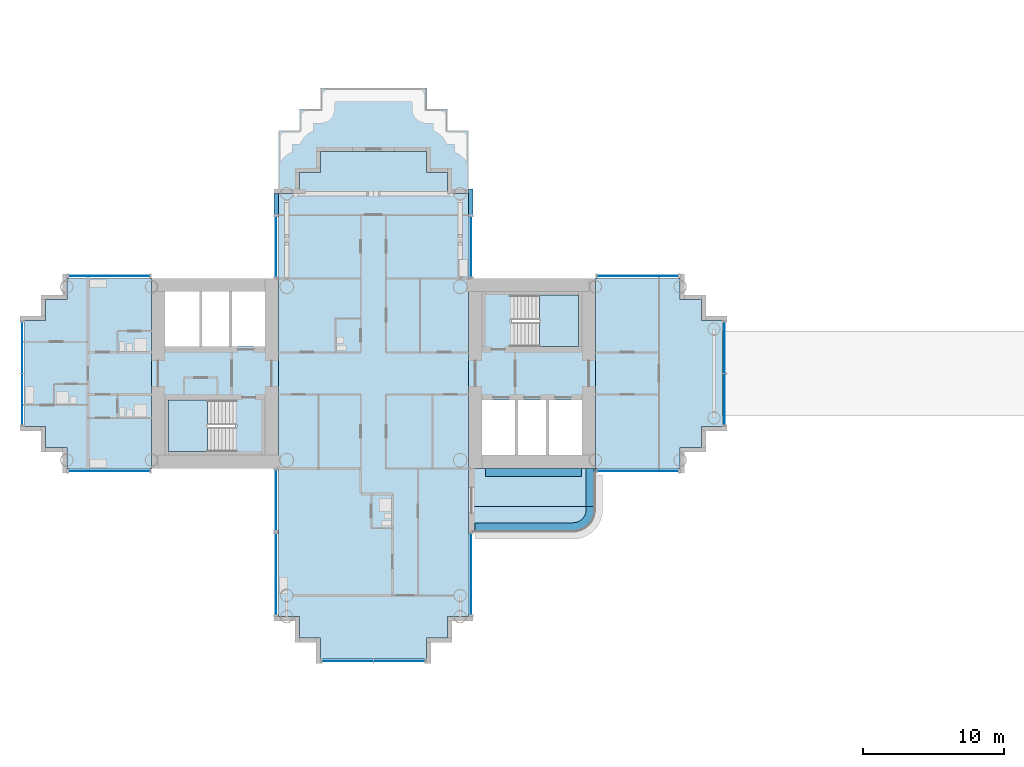
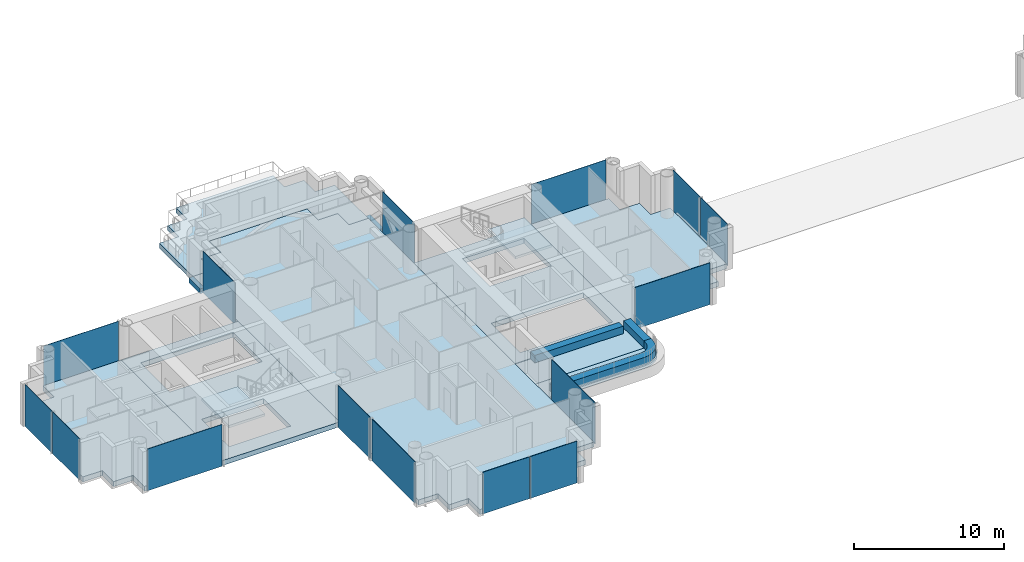
# One storey, part 7 of 22: 15 plates, 15 slabs, 14 elements without a shape of their own.
"""IFC4 building model written with IfcOpenShell, lengths in metres."""

import ifcopenshell
import ifcopenshell.guid

model = None  # the IFC model being written
_history = None  # IfcOwnerHistory: only IFC2X3 demands one
_inside = {}  # id of a spatial element -> (the spatial element, [elements in it])
_under = {}  # id of a project, library or spatial element -> (it, [spatial elements below it])
_declared = {}  # id of a project -> (the project, [libraries it declares])
_typed = {}  # id of a type object -> (the type object, [elements of that type])
_made_of = {}  # id of a material, layer set ... -> (it, [elements and type objects made of it])


def new_model(schema):
    """Start an empty IFC model of exactly this schema.

    Asked for "IFC4X3", IfcOpenShell would pick the latest addendum, in which some entities
    have other attributes; the version numbers below select the first issue.
    IFC2X3 requires an IfcOwnerHistory on every rooted entity: one is made here for all.
    """
    global model, _history
    if schema == "IFC4X3":
        model = ifcopenshell.file(schema_version=(4, 3, 0, 0))
    else:
        model = ifcopenshell.file(schema=schema)
    _inside.clear()
    _under.clear()
    _declared.clear()
    _typed.clear()
    _made_of.clear()
    _history = None
    if model.schema == "IFC2X3":
        org = make("IfcOrganization", Name="unknown")
        user = make(
            "IfcPersonAndOrganization",
            ThePerson=make("IfcPerson", FamilyName="unknown"),
            TheOrganization=org,
        )
        app = make(
            "IfcApplication",
            ApplicationDeveloper=org,
            Version="unknown",
            ApplicationFullName="unknown",
            ApplicationIdentifier="unknown",
        )
        _history = make(
            "IfcOwnerHistory",
            OwningUser=user,
            OwningApplication=app,
            ChangeAction="ADDED",
            CreationDate=0,
        )
    return model


def make(cls, **values):
    """One entity of the class cls with the attributes given. An attribute that is None is left unset."""
    return model.create_entity(
        cls, **{name: value for name, value in values.items() if value is not None}
    )


def rooted(cls, **values):
    """An entity with a GlobalId (a new one), such as an element, a storey or a relation."""
    return make(cls, GlobalId=ifcopenshell.guid.new(), OwnerHistory=_history, **values)


def si_unit(unit_type, name, prefix=None):
    """IfcSIUnit, for example si_unit("LENGTHUNIT", "METRE", prefix="MILLI")."""
    return make("IfcSIUnit", UnitType=unit_type, Prefix=prefix, Name=name)


def assignment(units):
    """IfcUnitAssignment: the units of a project."""
    return None if units is None else make("IfcUnitAssignment", Units=units)


def point(xyz):
    """IfcCartesianPoint."""
    return None if xyz is None else make("IfcCartesianPoint", Coordinates=xyz)


def direction(xyz):
    """IfcDirection."""
    return None if xyz is None else make("IfcDirection", DirectionRatios=xyz)


def frame(location, z_axis=None, x_axis=None):
    """IfcAxis2Placement3D, a coordinate frame: its origin and axes. An axis left out is left unset."""
    return make(
        "IfcAxis2Placement3D",
        Location=point(location),
        Axis=direction(z_axis),
        RefDirection=direction(x_axis),
    )


def frame_2d(location, x_axis=None):
    """IfcAxis2Placement2D, a coordinate frame in the plane: its origin and x axis."""
    return make(
        "IfcAxis2Placement2D", Location=point(location), RefDirection=direction(x_axis)
    )


def origin():
    """The frame at (0, 0, 0) with its axes left unset."""
    return frame((0.0, 0.0, 0.0))


def origin_2d():
    """The frame at (0, 0) in the plane with its x axis left unset."""
    return frame_2d((0.0, 0.0))


def place(relative_to, where):
    """IfcLocalPlacement: puts the frame where relative to a parent placement (None: the world)."""
    return make(
        "IfcLocalPlacement", PlacementRelTo=relative_to, RelativePlacement=where
    )


def context(
    kind, dimensions, precision=None, world=None, true_north=None, identifier=None
):
    """IfcGeometricRepresentationContext, for example the 3D "Model" context."""
    return make(
        "IfcGeometricRepresentationContext",
        ContextIdentifier=identifier,
        ContextType=kind,
        CoordinateSpaceDimension=dimensions,
        Precision=precision,
        WorldCoordinateSystem=world,
        TrueNorth=true_north,
    )


def subcontext(parent, identifier, kind, view, scale=None):
    """IfcGeometricRepresentationSubContext, for example "Body" below "Model"."""
    return make(
        "IfcGeometricRepresentationSubContext",
        ContextIdentifier=identifier,
        ContextType=kind,
        ParentContext=parent,
        TargetScale=scale,
        TargetView=view,
    )


def project(units=None, contexts=None):
    """IfcProject with its units and contexts."""
    return rooted(
        "IfcProject",
        Name="project",
        RepresentationContexts=contexts,
        UnitsInContext=assignment(units),
    )


def spatial(cls, under=None, at=None, **own):
    """A site, building, storey or space (cls), placed at a placement, below another one or the project."""
    s = rooted(cls, ObjectPlacement=at, **own)
    if under is not None:
        _under.setdefault(under.id(), (under, []))[1].append(s)
    return s


def polyline(points):
    """IfcPolyline through the points."""
    return make("IfcPolyline", Points=[point(p) for p in points])


def profile(cls, at=None, kind="AREA", **sizes):
    """A parametric profile (cls). Its sizes go by their IFC names, for example OverallWidth=200.0."""
    return make(cls, ProfileType=kind, Position=at, **sizes)


def rectangle(**sizes):
    """IfcRectangleProfileDef."""
    return profile("IfcRectangleProfileDef", **sizes)


def outline(outer, holes=None, kind="AREA"):
    """IfcArbitraryClosedProfileDef: a profile drawn as a closed curve; with holes, ...WithVoids."""
    if holes is None:
        return make("IfcArbitraryClosedProfileDef", ProfileType=kind, OuterCurve=outer)
    return make(
        "IfcArbitraryProfileDefWithVoids",
        ProfileType=kind,
        OuterCurve=outer,
        InnerCurves=holes,
    )


def extrude(swept, where, along, depth):
    """IfcExtrudedAreaSolid: the profile swept, set in the frame where, extruded along a direction by depth."""
    return make(
        "IfcExtrudedAreaSolid",
        SweptArea=swept,
        Position=where,
        ExtrudedDirection=direction(along),
        Depth=depth,
    )


def shape(context_of_items, identifier, shape_type, items):
    """IfcShapeRepresentation: the items that make up one representation, for example the "Body"."""
    return make(
        "IfcShapeRepresentation",
        ContextOfItems=context_of_items,
        RepresentationIdentifier=identifier,
        RepresentationType=shape_type,
        Items=items,
    )


def material(Name=None, Category=None):
    """IfcMaterial."""
    return make("IfcMaterial", Name=Name, Category=Category)


def layer(
    of_material, thickness, ventilated=None, Name=None, Category=None, Priority=None
):
    """IfcMaterialLayer: one layer of a wall or slab, of a material (None: an air gap)."""
    return make(
        "IfcMaterialLayer",
        Material=of_material,
        LayerThickness=thickness,
        IsVentilated=ventilated,
        Name=Name,
        Category=Category,
        Priority=Priority,
    )


def layer_set(layers, Name=None):
    """IfcMaterialLayerSet."""
    return make("IfcMaterialLayerSet", MaterialLayers=layers, LayerSetName=Name)


def made_of(thing, what):
    """Note that an element or type object is made of a material, layer set ...; save() writes the relation."""
    if what is not None:
        _made_of.setdefault(what.id(), (what, []))[1].append(thing)
    return thing


def type_object(cls, material=None, **own):
    """A type object (cls), such as IfcWallType, which elements share."""
    return made_of(rooted(cls, **own), material)


def element(
    cls,
    number,
    at=None,
    inside=None,
    cuts=None,
    type_object=None,
    material=None,
    context=None,
    identifier="Body",
    shape_type=None,
    held_by="IfcProductDefinitionShape",
    body=None,
    shapes=None,
    **own,
):
    """One element of the class cls, such as IfcWall. Its Tag is "e" and its number.

    at: its placement. inside: the storey or other place that contains it. cuts: it is an
    opening in that element (IfcRelVoidsElement). A single representation is given by context,
    identifier, shape_type and body (its items); several are given by shapes. held_by: the class
    of the entity that holds the representations. save() writes the other relations.
    """
    e = rooted(cls, Tag="e%d" % number, ObjectPlacement=at, **own)
    if body is not None:
        shapes = [shape(context, identifier, shape_type, body)]
    if shapes is not None:
        e.Representation = make(held_by, Representations=shapes)
    if inside is not None:
        _inside.setdefault(inside.id(), (inside, []))[1].append(e)
    if cuts is not None:
        rooted(
            "IfcRelVoidsElement", RelatingBuildingElement=cuts, RelatedOpeningElement=e
        )
    if type_object is not None:
        _typed.setdefault(type_object.id(), (type_object, []))[1].append(e)
    return made_of(e, material)


def aggregate(whole, parts):
    """IfcRelAggregates: a whole, such as a stair, and the parts it consists of."""
    return rooted("IfcRelAggregates", RelatingObject=whole, RelatedObjects=parts)


def save(model, path):
    """Write the relations noted so far, then the file.

    IfcRelAggregates (storeys below a building ...), IfcRelContainedInSpatialStructure (elements
    in a storey), IfcRelDefinesByType, IfcRelAssociatesMaterial and IfcRelDeclares: one each for
    every whole, place, type object, material and project.
    """
    for whole, parts in _under.values():
        aggregate(whole, parts)
    for where, things in _inside.values():
        rooted(
            "IfcRelContainedInSpatialStructure",
            RelatedElements=things,
            RelatingStructure=where,
        )
    for kind, things in _typed.values():
        rooted("IfcRelDefinesByType", RelatedObjects=things, RelatingType=kind)
    for what, things in _made_of.values():
        rooted("IfcRelAssociatesMaterial", RelatedObjects=things, RelatingMaterial=what)
    for by, libraries in _declared.values():
        rooted("IfcRelDeclares", RelatingContext=by, RelatedDefinitions=libraries)
    model.write(path)


model = new_model("IFC4")

# Units and contexts
model_context = context("Model", 3, precision=1e-05, world=origin(), true_north=direction((0.0, 1.0)))
body_context = subcontext(model_context, "Body", "Model", "MODEL_VIEW")
ifc_project = project(units=[si_unit("LENGTHUNIT", "METRE"), si_unit("AREAUNIT", "SQUARE_METRE"), si_unit("VOLUMEUNIT", "CUBIC_METRE"), si_unit("PLANEANGLEUNIT", "RADIAN"), si_unit("MASSUNIT", "GRAM", prefix="KILO")], contexts=[model_context])

# Site, building, storey
site_placement = place(None, origin())
site = spatial("IfcSite", under=ifc_project, at=site_placement, CompositionType="ELEMENT")
building_placement = place(site_placement, origin())
building = spatial("IfcBuilding", under=site, at=building_placement, Name="Ipe Terrace Towers", CompositionType="ELEMENT")
storey_placement = place(building_placement, frame((0.0, 0.0, 76.60009765625)))
storey = spatial("IfcBuildingStorey", under=building, at=storey_placement, Name="L20", CompositionType="ELEMENT", Elevation=76.60009765625)

# Slabs
ifc_material_1 = material(Name="Concrete C30/37", Category="concrete")
ifc_layer_1 = layer(ifc_material_1, 0.199951171875)
ifc_layer_set_1 = layer_set([ifc_layer_1], Name="BALCONY SLAB 200")
slab_type_1 = type_object("IfcSlabType", Name="BALCONY SLAB 200", PredefinedType="FLOOR", material=ifc_layer_set_1)
slab_1_placement = place(storey_placement, frame((0.0, 0.0, -0.22021484375)))
element("IfcSlab", 1, at=slab_1_placement, inside=storey, type_object=slab_type_1, Name="balcony slab", PredefinedType="FLOOR", context=body_context, shape_type="SweptSolid", body=[
    extrude(outline(polyline([(-20.25, -6.75), (-29.25, -6.75), (-29.25, -9.449951171875), (-20.25, -9.449951171875), (-20.25, -6.75)])), origin(), (0.0, 0.0, 1.0), 0.2001953125),
])
slab_2_placement = place(storey_placement, frame((0.0, 0.0, -0.22021484375)))
element("IfcSlab", 2, at=slab_2_placement, inside=storey, type_object=slab_type_1, Name="balcony slab", PredefinedType="FLOOR", context=body_context, shape_type="SweptSolid", body=[
    extrude(outline(polyline([(-29.25, -11.25), (-21.85009765625, -11.25), (-21.64111328125, -11.236083984375), (-21.43603515625, -11.195068359375), (-21.238037109375, -11.1279296875), (-21.050048828125, -11.035888671875), (-20.8759765625, -10.9189453125), (-20.718994140625, -10.781005859375), (-20.5810546875, -10.6240234375), (-20.464111328125, -10.449951171875), (-20.3720703125, -10.261962890625), (-20.304931640625, -10.06396484375), (-20.263916015625, -9.85888671875), (-20.25, -9.64990234375), (-20.25, -9.449951171875), (-29.25, -9.449951171875), (-29.25, -11.25)])), origin(), (0.0, 0.0, 1.0), 0.2001953125),
])
ifc_material_2 = material(Name="Concrete C30/37", Category="concrete")
ifc_layer_2 = layer(ifc_material_2, 0.39990234375)
ifc_layer_set_2 = layer_set([ifc_layer_2], Name="CORE FLOOR SLAB 400 C30-37")
slab_type_2 = type_object("IfcSlabType", Name="CORE FLOOR SLAB 400 C30-37", PredefinedType="FLOOR", material=ifc_layer_set_2)
slab_3_placement = place(storey_placement, frame((0.0, 0.0, -0.400146484375)))
element("IfcSlab", 3, at=slab_3_placement, inside=storey, type_object=slab_type_2, Name="Core floor T1-C1", PredefinedType="FLOOR", context=body_context, shape_type="SweptSolid", body=[
    extrude(outline(polyline([(-29.25, -6.75), (-29.25, 6.75), (-20.25, 6.75), (-20.25, -6.75), (-29.25, -6.75)]), holes=[polyline([(-28.300048828125, -5.800048828125), (-21.199951171875, -5.800048828125), (-21.199951171875, -1.89990234375), (-28.300048828125, -1.89990234375), (-28.300048828125, -5.800048828125)]), polyline([(-26.199951171875, 5.550048828125), (-26.199951171875, 1.89990234375), (-21.449951171875, 1.89990234375), (-21.449951171875, 5.550048828125), (-26.199951171875, 5.550048828125)])]), origin(), (0.0, 0.0, 1.0), 0.400146484375),
])
slab_4_placement = place(storey_placement, frame((0.0, 0.0, -0.400146484375)))
element("IfcSlab", 4, at=slab_4_placement, inside=storey, type_object=slab_type_2, Name="Core floor T1-C2", PredefinedType="FLOOR", context=body_context, shape_type="SweptSolid", body=[
    extrude(outline(polyline([(-51.75, -6.75), (-51.75, 6.75), (-42.75, 6.75), (-42.75, -6.75), (-51.75, -6.75)]), holes=[polyline([(-45.800048828125, -5.550048828125), (-45.800048828125, -1.89990234375), (-50.550048828125, -1.89990234375), (-50.550048828125, -5.550048828125), (-45.800048828125, -5.550048828125)]), polyline([(-50.800048828125, 1.89990234375), (-43.699951171875, 1.89990234375), (-43.699951171875, 5.800048828125), (-50.800048828125, 5.800048828125), (-50.800048828125, 1.89990234375)])]), origin(), (0.0, 0.0, 1.0), 0.400146484375),
])

# Stair, slab
ifc_material_3 = material(Name="Concrete C30/37", Category="concrete")
stair_type = type_object("IfcStairType", Name="Protected exit stair", PredefinedType="HALF_TURN_STAIR", material=ifc_material_3)
stair_1_placement = place(storey_placement, origin())
stair_1 = element("IfcStair", 5, at=stair_1_placement, inside=storey, type_object=stair_type, Name="L20 Exit stair T1-C1", PredefinedType="HALF_TURN_STAIR")
ifc_material_4 = material(Name="Concrete C30/37", Category="concrete")
ifc_layer_3 = layer(ifc_material_4, 0.199951171875)
ifc_layer_set_3 = layer_set([ifc_layer_3], Name="Exit stair landing 200")
slab_type_3 = type_object("IfcSlabType", Name="Exit stair landing 200", PredefinedType="LANDING", material=ifc_layer_set_3)
slab_5_placement = place(storey_placement, frame((0.0, 0.0, 1.5)))
slab_5 = element("IfcSlab", 6, at=slab_5_placement, type_object=slab_type_3, Name="T1-ST1 landing 1", PredefinedType="LANDING", context=body_context, shape_type="SweptSolid", body=[
    extrude(outline(polyline([(-24.219970703125, 1.89990234375), (-21.449951171875, 1.89990234375), (-21.449951171875, 5.550048828125), (-24.219970703125, 5.550048828125), (-24.219970703125, 1.89990234375)])), origin(), (0.0, 0.0, 1.0), 0.199951171875),
])
aggregate(stair_1, [slab_5])

stair_2_placement = place(storey_placement, origin())
stair_2 = element("IfcStair", 7, at=stair_2_placement, inside=storey, type_object=stair_type, Name="L20 Exit stair T1-C2", PredefinedType="HALF_TURN_STAIR")
slab_6_placement = place(storey_placement, frame((0.0, 0.0, 1.5)))
slab_6 = element("IfcSlab", 8, at=slab_6_placement, type_object=slab_type_3, Name="T1-ST2 landing 1", PredefinedType="LANDING", context=body_context, shape_type="SweptSolid", body=[
    extrude(outline(polyline([(-47.780029296875, -1.89990234375), (-50.550048828125, -1.89990234375), (-50.550048828125, -5.550048828125), (-47.780029296875, -5.550048828125), (-47.780029296875, -1.89990234375)])), origin(), (0.0, 0.0, 1.0), 0.199951171875),
])
aggregate(stair_2, [slab_6])

# Slabs
ifc_material_5 = material(Name="Concrete C40/50", Category="concrete")
ifc_layer_4 = layer(ifc_material_5, 0.39990234375)
ifc_layer_set_4 = layer_set([ifc_layer_4], Name="FLAT PLATE SLAB 400 C40-50")
slab_type_4 = type_object("IfcSlabType", Name="FLAT PLATE SLAB 400 C40-50", PredefinedType="FLOOR", material=ifc_layer_set_4)
slab_7_placement = place(storey_placement, frame((0.0, 0.0, -0.400146484375)))
element("IfcSlab", 9, at=slab_7_placement, inside=storey, type_object=slab_type_4, Name="Slab T1-FS-Z21", PredefinedType="FLOOR", context=body_context, shape_type="SweptSolid", body=[
    extrude(outline(polyline([(-30.75, -17.25), (-30.75, -18.75), (-32.25, -18.75), (-32.25, -20.25), (-39.75, -20.25), (-39.75, -18.75), (-41.25, -18.75), (-41.25, -17.25), (-42.75, -17.25), (-42.75, -6.75), (-42.75, 6.75), (-42.75, 12.75), (-41.25, 12.75), (-41.25, 14.25), (-39.75, 14.25), (-39.75, 15.75), (-32.25, 15.75), (-32.25, 14.25), (-30.75, 14.25), (-30.75, 12.75), (-29.25, 12.75), (-29.25, 6.75), (-29.25, -6.75), (-29.25, -17.25), (-30.75, -17.25)])), origin(), (0.0, 0.0, 1.0), 0.400146484375),
])
slab_8_placement = place(storey_placement, frame((0.0, 0.0, -0.400146484375)))
element("IfcSlab", 10, at=slab_8_placement, inside=storey, type_object=slab_type_4, Name="Slab T1-FS-Z22", PredefinedType="FLOOR", context=body_context, shape_type="SweptSolid", body=[
    extrude(outline(polyline([(-57.75, -6.75), (-57.75, -5.25), (-59.25, -5.25), (-59.25, -3.75), (-60.75, -3.75), (-60.75, 3.75), (-59.25, 3.75), (-59.25, 5.25), (-57.75, 5.25), (-57.75, 6.75), (-51.75, 6.75), (-51.75, -6.75), (-57.75, -6.75)])), origin(), (0.0, 0.0, 1.0), 0.400146484375),
])
slab_9_placement = place(storey_placement, frame((0.0, 0.0, -0.400146484375)))
element("IfcSlab", 11, at=slab_9_placement, inside=storey, type_object=slab_type_4, Name="Slab T1-FS-Z23", PredefinedType="FLOOR", context=body_context, shape_type="SweptSolid", body=[
    extrude(outline(polyline([(-14.25, 5.25), (-12.75, 5.25), (-12.75, 3.75), (-11.25, 3.75), (-11.25, -3.75), (-12.75, -3.75), (-12.75, -5.25), (-14.25, -5.25), (-14.25, -6.75), (-20.25, -6.75), (-20.25, 6.75), (-14.25, 6.75), (-14.25, 5.25)])), origin(), (0.0, 0.0, 1.0), 0.400146484375),
])
slab_10_placement = place(storey_placement, frame((0.0, 0.0, -0.400146484375)))
element("IfcSlab", 12, at=slab_10_placement, inside=storey, type_object=slab_type_4, Name="Slab ledge", PredefinedType="FLOOR", context=body_context, shape_type="SweptSolid", body=[
    extrude(outline(polyline([(-29.25, 11.25), (-29.25, 13.070068359375), (-28.929931640625, 13.070068359375), (-28.929931640625, 11.25), (-29.25, 11.25)])), origin(), (0.0, 0.0, 1.0), 0.400146484375),
])
slab_11_placement = place(storey_placement, frame((0.0, 0.0, -0.400146484375)))
element("IfcSlab", 13, at=slab_11_placement, inside=storey, type_object=slab_type_4, Name="Slab ledge", PredefinedType="FLOOR", context=body_context, shape_type="SweptSolid", body=[
    extrude(outline(polyline([(-42.75, 12.75), (-42.75, 11.25), (-43.070068359375, 11.25), (-43.070068359375, 12.75), (-42.75, 12.75)])), origin(), (0.0, 0.0, 1.0), 0.400146484375),
])
ifc_material_6 = material(Name="Concrete C30/37", Category="concrete")
ifc_layer_5 = layer(ifc_material_6, 0.60009765625)
ifc_layer_set_5 = layer_set([ifc_layer_5], Name="PLANTER TROUGH 550 x 600")
slab_type_5 = type_object("IfcSlabType", Name="PLANTER TROUGH 550 x 600", PredefinedType="USERDEFINED", material=ifc_layer_set_5)
slab_12_placement = place(storey_placement, frame((0.0, 0.0, -0.02001953125)))
element("IfcSlab", 14, at=slab_12_placement, inside=storey, type_object=slab_type_5, Name="planter", ObjectType="PLANTER", PredefinedType="USERDEFINED", context=body_context, shape_type="SweptSolid", body=[
    extrude(outline(polyline([(-20.360107421875, -6.75), (-20.909912109375, -6.75), (-20.909912109375, -9.449951171875), (-20.360107421875, -9.449951171875), (-20.360107421875, -6.75)])), origin(), (0.0, 0.0, 1.0), 0.599853515625),
])
slab_13_placement = place(storey_placement, frame((0.0, 0.0, -0.02001953125)))
element("IfcSlab", 15, at=slab_13_placement, inside=storey, type_object=slab_type_5, Name="planter", ObjectType="PLANTER", PredefinedType="USERDEFINED", context=body_context, shape_type="SweptSolid", body=[
    extrude(outline(polyline([(-20.943115234375, -9.89306640625), (-20.98291015625, -10.009033203125), (-21.037109375, -10.118896484375), (-21.10498046875, -10.220947265625), (-21.18603515625, -10.31396484375), (-21.279052734375, -10.39501953125), (-21.381103515625, -10.462890625), (-21.490966796875, -10.51708984375), (-21.60693359375, -10.556884765625), (-21.72705078125, -10.5810546875), (-21.8720703125, -10.590087890625), (-28.800048828125, -10.590087890625), (-28.800048828125, -11.139892578125), (-21.863037109375, -11.139892578125), (-21.844970703125, -11.138916015625), (-21.674072265625, -11.1279296875), (-21.637939453125, -11.1240234375), (-21.48193359375, -11.093017578125), (-21.447021484375, -11.0830078125), (-21.297119140625, -11.031982421875), (-21.263916015625, -11.01806640625), (-21.12109375, -10.947998046875), (-21.090087890625, -10.929931640625), (-20.9580078125, -10.842041015625), (-20.929931640625, -10.820068359375), (-20.81005859375, -10.715087890625), (-20.784912109375, -10.68994140625), (-20.679931640625, -10.570068359375), (-20.657958984375, -10.5419921875), (-20.570068359375, -10.409912109375), (-20.552001953125, -10.37890625), (-20.48193359375, -10.236083984375), (-20.468017578125, -10.202880859375), (-20.4169921875, -10.052978515625), (-20.406982421875, -10.01806640625), (-20.3759765625, -9.862060546875), (-20.3720703125, -9.825927734375), (-20.361083984375, -9.655029296875), (-20.360107421875, -9.636962890625), (-20.360107421875, -9.449951171875), (-20.909912109375, -9.449951171875), (-20.909912109375, -9.6279296875), (-20.9189453125, -9.77294921875), (-20.943115234375, -9.89306640625)])), origin(), (0.0, 0.0, 1.0), 0.599853515625),
])
slab_14_placement = place(storey_placement, frame((0.0, 0.0, -0.02001953125)))
element("IfcSlab", 16, at=slab_14_placement, inside=storey, type_object=slab_type_5, Name="planter", ObjectType="PLANTER", PredefinedType="USERDEFINED", context=body_context, shape_type="SweptSolid", body=[
    extrude(outline(polyline([(-28.050048828125, -6.75), (-28.050048828125, -7.300048828125), (-21.25, -7.300048828125), (-21.25, -6.75), (-28.050048828125, -6.75)])), origin(), (0.0, 0.0, 1.0), 0.599853515625),
])
ifc_material_7 = material(Name="Concrete C40/50", Category="concrete")
ifc_layer_6 = layer(ifc_material_7, 0.39990234375)
ifc_layer_set_6 = layer_set([ifc_layer_6], Name="TERRACE DECK SLAB 400 C40-50")
slab_type_6 = type_object("IfcSlabType", Name="TERRACE DECK SLAB 400 C40-50", PredefinedType="FLOOR", material=ifc_layer_set_6)
slab_15_placement = place(storey_placement, frame((0.0, 0.0, -0.420166015625)))
element("IfcSlab", 17, at=slab_15_placement, inside=storey, type_object=slab_type_6, Name="Slab T1-TD-L20-1", PredefinedType="FLOOR", context=body_context, shape_type="SweptSolid", body=[
    extrude(outline(polyline([(-42.7451171875, 12.7548828125), (-42.7451171875, 17.2451171875), (-41.2451171875, 17.2451171875), (-41.2451171875, 18.7451171875), (-39.7451171875, 18.7451171875), (-39.7451171875, 20.2451171875), (-32.2548828125, 20.2451171875), (-32.2548828125, 18.7451171875), (-30.7548828125, 18.7451171875), (-30.7548828125, 17.2451171875), (-29.2548828125, 17.2451171875), (-29.2548828125, 12.7548828125), (-30.7451171875, 12.7548828125), (-30.7451171875, 14.2548828125), (-32.2451171875, 14.2548828125), (-32.2451171875, 15.7548828125), (-39.7548828125, 15.7548828125), (-39.7548828125, 14.2548828125), (-41.2548828125, 14.2548828125), (-41.2548828125, 12.7548828125), (-42.7451171875, 12.7548828125)])), origin(), (0.0, 0.0, 1.0), 0.400146484375),
])

# Curtain wall, plate
ifc_material_8 = material(Name="Aluminium alloy 6063-T6", Category="aluminium")
ifc_layer_7 = layer(ifc_material_8, 0.320068359375)
ifc_layer_set_7 = layer_set([ifc_layer_7], Name="TOWER UNITISED CURTAIN WALL")
curtain_wall_type = type_object("IfcCurtainWallType", Name="TOWER UNITISED CURTAIN WALL", PredefinedType="NOTDEFINED", material=ifc_layer_set_7)
curtain_wall_1_placement = place(storey_placement, origin())
curtain_wall_1 = element("IfcCurtainWall", 18, at=curtain_wall_1_placement, inside=storey, type_object=curtain_wall_type, Name="T1-CW-L20-04a curtain wall", PredefinedType="NOTDEFINED")
ifc_material_9 = material(Name="Glass, clear laminated", Category="glass")
ifc_layer_8 = layer(ifc_material_9, 0.031982421875)
ifc_layer_set_8 = layer_set([ifc_layer_8], Name="TOWER UNITISED GLASS PANEL 32")
plate_type_1 = type_object("IfcPlateType", Name="TOWER UNITISED GLASS PANEL 32", PredefinedType="CURTAIN_PANEL", material=ifc_layer_set_8)
plate_1_placement = place(storey_placement, frame((-54.75048828125, -6.909912109375, -0.300048828125), z_axis=(0.0, 0.0, 1.0), x_axis=(1.0, 0.0, 0.0)))
plate_1 = element("IfcPlate", 19, at=plate_1_placement, type_object=plate_type_1, Name="T1-CW-L20-04a panel 1", PredefinedType="CURTAIN_PANEL", context=body_context, shape_type="SweptSolid", body=[
    extrude(rectangle(XDim=5.759033203125, YDim=0.031982421875, at=origin_2d()), origin(), (0.0, 0.0, 1.0), 3.39990234375),
])
aggregate(curtain_wall_1, [plate_1])

curtain_wall_2_placement = place(storey_placement, origin())
curtain_wall_2 = element("IfcCurtainWall", 20, at=curtain_wall_2_placement, inside=storey, type_object=curtain_wall_type, Name="T1-CW-L20-06a curtain wall", PredefinedType="NOTDEFINED")
plate_2_placement = place(storey_placement, frame((-42.909912109375, -9.0, -0.300048828125), z_axis=(0.0, 0.0, 1.0), x_axis=(0.0, -1.0, 0.0)))
plate_2 = element("IfcPlate", 21, at=plate_2_placement, type_object=plate_type_1, Name="T1-CW-L20-06a panel 1", PredefinedType="CURTAIN_PANEL", context=body_context, shape_type="SweptSolid", body=[
    extrude(rectangle(XDim=4.260009765625, YDim=0.031982421875, at=origin_2d()), origin(), (0.0, 0.0, 1.0), 3.39990234375),
])
aggregate(curtain_wall_2, [plate_2])

curtain_wall_3_placement = place(storey_placement, origin())
curtain_wall_3 = element("IfcCurtainWall", 22, at=curtain_wall_3_placement, inside=storey, type_object=curtain_wall_type, Name="T1-CW-L20-07a curtain wall", PredefinedType="NOTDEFINED")
plate_3_placement = place(storey_placement, frame((-42.909912109375, -14.25, -0.300048828125), z_axis=(0.0, 0.0, 1.0), x_axis=(0.0, -1.0, 0.0)))
plate_3 = element("IfcPlate", 23, at=plate_3_placement, type_object=plate_type_1, Name="T1-CW-L20-07a panel 1", PredefinedType="CURTAIN_PANEL", context=body_context, shape_type="SweptSolid", body=[
    extrude(rectangle(XDim=5.760009765625, YDim=0.031982421875, at=origin_2d()), origin(), (0.0, 0.0, 1.0), 3.39990234375),
])
aggregate(curtain_wall_3, [plate_3])

# Curtain wall, plates
curtain_wall_4_placement = place(storey_placement, origin())
curtain_wall_4 = element("IfcCurtainWall", 24, at=curtain_wall_4_placement, inside=storey, type_object=curtain_wall_type, Name="T1-CW-L20-12a curtain wall", PredefinedType="NOTDEFINED")
plate_4_placement = place(storey_placement, frame((-37.831298828125, -20.409912109375, -0.300048828125), z_axis=(0.0, 0.0, 1.0), x_axis=(1.0, 0.0, 0.0)))
plate_4 = element("IfcPlate", 25, at=plate_4_placement, type_object=plate_type_1, Name="T1-CW-L20-12a panel 1", PredefinedType="CURTAIN_PANEL", context=body_context, shape_type="SweptSolid", body=[
    extrude(rectangle(XDim=3.597412109375, YDim=0.031982421875, at=origin_2d()), origin(), (0.0, 0.0, 1.0), 3.39990234375),
])
plate_5_placement = place(storey_placement, frame((-34.168701171875, -20.409912109375, -0.300048828125), z_axis=(0.0, 0.0, 1.0), x_axis=(1.0, 0.0, 0.0)))
plate_5 = element("IfcPlate", 26, at=plate_5_placement, type_object=plate_type_1, Name="T1-CW-L20-12a panel 2", PredefinedType="CURTAIN_PANEL", context=body_context, shape_type="SweptSolid", body=[
    extrude(rectangle(XDim=3.597412109375, YDim=0.031982421875, at=origin_2d()), origin(), (0.0, 0.0, 1.0), 3.39990234375),
])
aggregate(curtain_wall_4, [plate_4, plate_5])

# Curtain wall, plate
curtain_wall_5_placement = place(storey_placement, origin())
curtain_wall_5 = element("IfcCurtainWall", 27, at=curtain_wall_5_placement, inside=storey, type_object=curtain_wall_type, Name="T1-CW-L20-17a curtain wall", PredefinedType="NOTDEFINED")
plate_6_placement = place(storey_placement, frame((-29.090087890625, -14.25, -0.300048828125), z_axis=(0.0, 0.0, 1.0), x_axis=(0.0, 1.0, 0.0)))
plate_6 = element("IfcPlate", 28, at=plate_6_placement, type_object=plate_type_1, Name="T1-CW-L20-17a panel 1", PredefinedType="CURTAIN_PANEL", context=body_context, shape_type="SweptSolid", body=[
    extrude(rectangle(XDim=5.760009765625, YDim=0.031982421875, at=origin_2d()), origin(), (0.0, 0.0, 1.0), 3.39990234375),
])
aggregate(curtain_wall_5, [plate_6])

curtain_wall_6_placement = place(storey_placement, origin())
curtain_wall_6 = element("IfcCurtainWall", 29, at=curtain_wall_6_placement, inside=storey, type_object=curtain_wall_type, Name="T1-CW-L20-20b curtain wall", PredefinedType="NOTDEFINED")
plate_7_placement = place(storey_placement, frame((-17.24951171875, -6.909912109375, -0.300048828125), z_axis=(0.0, 0.0, 1.0), x_axis=(1.0, 0.0, 0.0)))
plate_7 = element("IfcPlate", 30, at=plate_7_placement, type_object=plate_type_1, Name="T1-CW-L20-20b panel 1", PredefinedType="CURTAIN_PANEL", context=body_context, shape_type="SweptSolid", body=[
    extrude(rectangle(XDim=5.759033203125, YDim=0.031982421875, at=origin_2d()), origin(), (0.0, 0.0, 1.0), 3.39990234375),
])
aggregate(curtain_wall_6, [plate_7])

# Curtain wall, plates
curtain_wall_7_placement = place(storey_placement, origin())
curtain_wall_7 = element("IfcCurtainWall", 31, at=curtain_wall_7_placement, inside=storey, type_object=curtain_wall_type, Name="T1-CW-L20-25a curtain wall", PredefinedType="NOTDEFINED")
plate_8_placement = place(storey_placement, frame((-11.090087890625, -1.831298828125, -0.300048828125), z_axis=(0.0, 0.0, 1.0), x_axis=(0.0, 1.0, 0.0)))
plate_8 = element("IfcPlate", 32, at=plate_8_placement, type_object=plate_type_1, Name="T1-CW-L20-25a panel 1", PredefinedType="CURTAIN_PANEL", context=body_context, shape_type="SweptSolid", body=[
    extrude(rectangle(XDim=3.597412109375, YDim=0.031982421875, at=origin_2d()), origin(), (0.0, 0.0, 1.0), 3.39990234375),
])
plate_9_placement = place(storey_placement, frame((-11.090087890625, 1.831298828125, -0.300048828125), z_axis=(0.0, 0.0, 1.0), x_axis=(0.0, 1.0, 0.0)))
plate_9 = element("IfcPlate", 33, at=plate_9_placement, type_object=plate_type_1, Name="T1-CW-L20-25a panel 2", PredefinedType="CURTAIN_PANEL", context=body_context, shape_type="SweptSolid", body=[
    extrude(rectangle(XDim=3.597412109375, YDim=0.031982421875, at=origin_2d()), origin(), (0.0, 0.0, 1.0), 3.39990234375),
])
aggregate(curtain_wall_7, [plate_8, plate_9])

# Curtain wall, plate
curtain_wall_8_placement = place(storey_placement, origin())
curtain_wall_8 = element("IfcCurtainWall", 34, at=curtain_wall_8_placement, inside=storey, type_object=curtain_wall_type, Name="T1-CW-L20-30a curtain wall", PredefinedType="NOTDEFINED")
plate_10_placement = place(storey_placement, frame((-17.24951171875, 6.909912109375, -0.300048828125), z_axis=(0.0, 0.0, 1.0), x_axis=(-1.0, 0.0, 0.0)))
plate_10 = element("IfcPlate", 35, at=plate_10_placement, type_object=plate_type_1, Name="T1-CW-L20-30a panel 1", PredefinedType="CURTAIN_PANEL", context=body_context, shape_type="SweptSolid", body=[
    extrude(rectangle(XDim=5.759033203125, YDim=0.031982421875, at=origin_2d()), origin(), (0.0, 0.0, 1.0), 3.39990234375),
])
aggregate(curtain_wall_8, [plate_10])

curtain_wall_9_placement = place(storey_placement, origin())
curtain_wall_9 = element("IfcCurtainWall", 36, at=curtain_wall_9_placement, inside=storey, type_object=curtain_wall_type, Name="T1-CW-L20-46b curtain wall", PredefinedType="NOTDEFINED")
plate_11_placement = place(storey_placement, frame((-54.75048828125, 6.909912109375, -0.300048828125), z_axis=(0.0, 0.0, 1.0), x_axis=(-1.0, 0.0, 0.0)))
plate_11 = element("IfcPlate", 37, at=plate_11_placement, type_object=plate_type_1, Name="T1-CW-L20-46b panel 1", PredefinedType="CURTAIN_PANEL", context=body_context, shape_type="SweptSolid", body=[
    extrude(rectangle(XDim=5.759033203125, YDim=0.031982421875, at=origin_2d()), origin(), (0.0, 0.0, 1.0), 3.39990234375),
])
aggregate(curtain_wall_9, [plate_11])

# Curtain wall, plates
curtain_wall_10_placement = place(storey_placement, origin())
curtain_wall_10 = element("IfcCurtainWall", 38, at=curtain_wall_10_placement, inside=storey, type_object=curtain_wall_type, Name="T1-CW-L20-51a curtain wall", PredefinedType="NOTDEFINED")
plate_12_placement = place(storey_placement, frame((-60.909912109375, 1.831298828125, -0.300048828125), z_axis=(0.0, 0.0, 1.0), x_axis=(0.0, -1.0, 0.0)))
plate_12 = element("IfcPlate", 39, at=plate_12_placement, type_object=plate_type_1, Name="T1-CW-L20-51a panel 1", PredefinedType="CURTAIN_PANEL", context=body_context, shape_type="SweptSolid", body=[
    extrude(rectangle(XDim=3.597412109375, YDim=0.031982421875, at=origin_2d()), origin(), (0.0, 0.0, 1.0), 3.39990234375),
])
plate_13_placement = place(storey_placement, frame((-60.909912109375, -1.831298828125, -0.300048828125), z_axis=(0.0, 0.0, 1.0), x_axis=(0.0, -1.0, 0.0)))
plate_13 = element("IfcPlate", 40, at=plate_13_placement, type_object=plate_type_1, Name="T1-CW-L20-51a panel 2", PredefinedType="CURTAIN_PANEL", context=body_context, shape_type="SweptSolid", body=[
    extrude(rectangle(XDim=3.597412109375, YDim=0.031982421875, at=origin_2d()), origin(), (0.0, 0.0, 1.0), 3.39990234375),
])
aggregate(curtain_wall_10, [plate_12, plate_13])

# Curtain wall, plate
curtain_wall_11_placement = place(storey_placement, origin())
curtain_wall_11 = element("IfcCurtainWall", 41, at=curtain_wall_11_placement, inside=storey, type_object=curtain_wall_type, Name="T1-CW-L20-32a curtain wall", PredefinedType="NOTDEFINED")
ifc_material_10 = material(Name="Insulated spandrel panel, stone-effect cladding", Category="masonry")
ifc_layer_9 = layer(ifc_material_10, 0.031982421875)
ifc_layer_set_9 = layer_set([ifc_layer_9], Name="TOWER UNITISED SPANDREL PANEL 32")
plate_type_2 = type_object("IfcPlateType", Name="TOWER UNITISED SPANDREL PANEL 32", PredefinedType="CURTAIN_PANEL", material=ifc_layer_set_9)
plate_14_placement = place(storey_placement, frame((-29.090087890625, 9.0, -0.300048828125), z_axis=(0.0, 0.0, 1.0), x_axis=(0.0, 1.0, 0.0)))
plate_14 = element("IfcPlate", 42, at=plate_14_placement, type_object=plate_type_2, Name="T1-CW-L20-32a panel 1", PredefinedType="CURTAIN_PANEL", context=body_context, shape_type="SweptSolid", body=[
    extrude(rectangle(XDim=4.260009765625, YDim=0.031982421875, at=origin_2d()), origin(), (0.0, 0.0, 1.0), 3.39990234375),
])
aggregate(curtain_wall_11, [plate_14])

curtain_wall_12_placement = place(storey_placement, origin())
curtain_wall_12 = element("IfcCurtainWall", 43, at=curtain_wall_12_placement, inside=storey, type_object=curtain_wall_type, Name="T1-CW-L20-44a curtain wall", PredefinedType="NOTDEFINED")
plate_15_placement = place(storey_placement, frame((-42.909912109375, 9.0, -0.300048828125), z_axis=(0.0, 0.0, 1.0), x_axis=(0.0, -1.0, 0.0)))
plate_15 = element("IfcPlate", 44, at=plate_15_placement, type_object=plate_type_2, Name="T1-CW-L20-44a panel 1", PredefinedType="CURTAIN_PANEL", context=body_context, shape_type="SweptSolid", body=[
    extrude(rectangle(XDim=4.260009765625, YDim=0.031982421875, at=origin_2d()), origin(), (0.0, 0.0, 1.0), 3.39990234375),
])
aggregate(curtain_wall_12, [plate_15])

save(model, "model.ifc")
